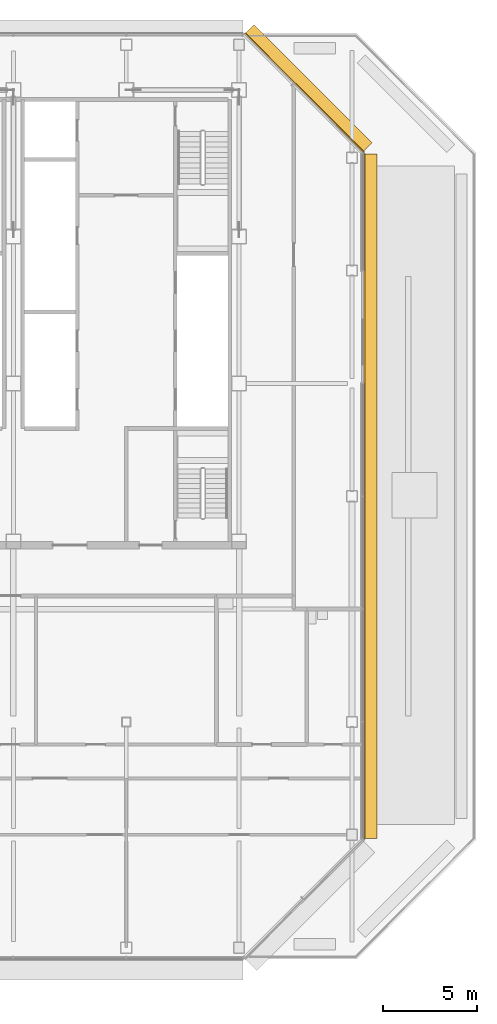
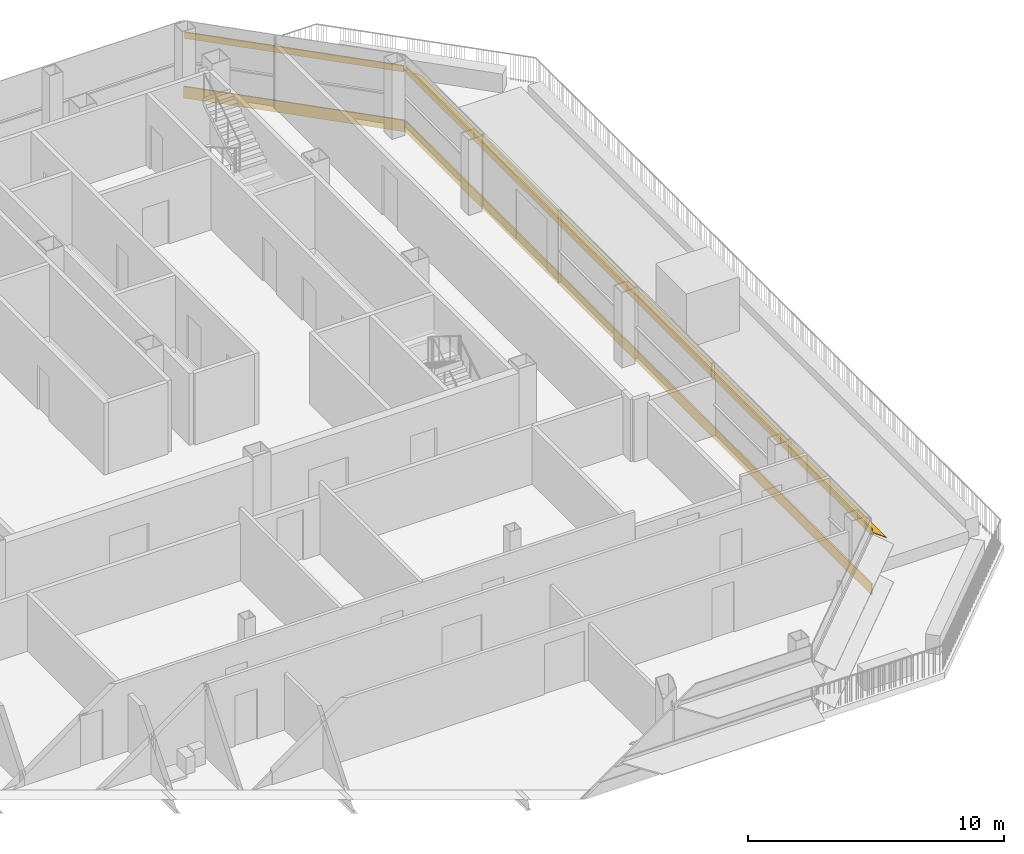
# One storey, part 26 of 28: 2 coverings, 2 shading devices.
"""IFC4 building model written with IfcOpenShell, lengths in metres."""

from ifc_helpers import new_model, si_unit, direction, frame, origin, place, context, subcontext, project, spatial, polyline, outline, extrude, material, layer, layer_set, type_object, element, save


model = new_model("IFC4")

# Units and contexts
model_context = context("Model", 3, precision=1e-05, world=origin(), true_north=direction((0.0, 1.0)))
body_context = subcontext(model_context, "Body", "Model", "MODEL_VIEW")
ifc_project = project(units=[si_unit("LENGTHUNIT", "METRE"), si_unit("AREAUNIT", "SQUARE_METRE"), si_unit("VOLUMEUNIT", "CUBIC_METRE"), si_unit("PLANEANGLEUNIT", "RADIAN"), si_unit("MASSUNIT", "GRAM", prefix="KILO")], contexts=[model_context])

# Site, building, storey
site_placement = place(None, origin())
site = spatial("IfcSite", under=ifc_project, at=site_placement, CompositionType="ELEMENT")
building_placement = place(site_placement, origin())
building = spatial("IfcBuilding", under=site, at=building_placement, Name="Sorahane Residences", CompositionType="ELEMENT")
storey_placement = place(building_placement, frame((0.0, 0.0, 290.800048828125)))
storey = spatial("IfcBuildingStorey", under=building, at=storey_placement, Name="L68", CompositionType="ELEMENT", Elevation=290.800048828125)

# Shading devices
ifc_material_1 = material(Name="Terracotta anodised aluminium", Category="masonry")
shading_device_type_1 = type_object("IfcShadingDeviceType", Name="Louvre sunshade blade E terracotta aluminium 700", PredefinedType="JALOUSIE", material=ifc_material_1)
shading_device_1_placement = place(storey_placement, frame((48.60009765625, 5.801513671875, 2.699951171875), z_axis=(0.0, 1.0, 0.0), x_axis=(-1.0, 0.0, 0.0)))
element("IfcShadingDevice", 1, at=shading_device_1_placement, inside=storey, type_object=shading_device_type_1, Name="Louvre sunshade blade bank E L68 E1", PredefinedType="JALOUSIE", context=body_context, shape_type="SweptSolid", body=[
    extrude(outline(polyline([(-0.719970703125, -0.49365234375), (-0.719970703125, -0.523681640625), (-0.080078125, -0.05859375), (-0.080078125, -0.14990234375), (-0.02001953125, -0.14990234375), (-0.02001953125, -0.014892578125), (-0.02001953125, 0.014892578125), (-0.02001953125, 0.14990234375), (-0.080078125, 0.14990234375), (-0.080078125, -0.028564453125), (-0.719970703125, -0.49365234375)])), origin(), (0.0, 0.0, 1.0), 36.39697265625),
])
ifc_material_2 = material(Name="Terracotta anodised aluminium", Category="masonry")
shading_device_type_2 = type_object("IfcShadingDeviceType", Name="Louvre sunshade blade NE terracotta aluminium 700", PredefinedType="JALOUSIE", material=ifc_material_2)
shading_device_2_placement = place(storey_placement, frame((48.564697265625, 42.283935546875, 2.699951171875), z_axis=(-0.707106781187, 0.707106781187, 0.0), x_axis=(-0.707106781187, -0.707106781187, 0.0)))
element("IfcShadingDevice", 2, at=shading_device_2_placement, inside=storey, type_object=shading_device_type_2, Name="Louvre sunshade blade bank NE L68 NE1", PredefinedType="JALOUSIE", context=body_context, shape_type="SweptSolid", body=[
    extrude(outline(polyline([(-0.719970703125, -0.572509765625), (-0.719970703125, -0.602294921875), (-0.080078125, -0.065185546875), (-0.080078125, -0.14990234375), (-0.02001953125, -0.14990234375), (-0.02001953125, -0.014892578125), (-0.02001953125, 0.014892578125), (-0.02001953125, 0.14990234375), (-0.080078125, 0.14990234375), (-0.080078125, -0.035400390625), (-0.719970703125, -0.572509765625)])), origin(), (0.0, 0.0, 1.0), 8.88232421875),
])

# Coverings
ifc_material_3 = material(Name="White painted aluminium cladding", Category="aluminium")
ifc_layer = layer(ifc_material_3, 0.06005859375)
ifc_layer_set = layer_set([ifc_layer], Name="Slab edge fascia band white painted aluminium 550")
covering_type = type_object("IfcCoveringType", Name="Slab edge fascia band white painted aluminium 550", PredefinedType="CLADDING", material=ifc_layer_set)
covering_1_placement = place(storey_placement, frame((48.60009765625, 5.771484375, -0.025146484375), z_axis=(0.0, 1.0, 0.0), x_axis=(-1.0, 0.0, 0.0)))
element("IfcCovering", 3, at=covering_1_placement, inside=storey, type_object=covering_type, Name="Slab edge fascia white L68 E1", PredefinedType="CLADDING", context=body_context, shape_type="SweptSolid", body=[
    extrude(outline(polyline([(-0.02001953125, 0.27490234375), (-0.080078125, 0.27490234375), (-0.080078125, -0.27490234375), (-0.02001953125, -0.27490234375), (-0.02001953125, 0.27490234375)])), origin(), (0.0, 0.0, 1.0), 36.45703125),
])
covering_2_placement = place(storey_placement, frame((48.5859375, 42.2626953125, -0.025146484375), z_axis=(-0.707106781187, 0.707106781187, 0.0), x_axis=(-0.707106781187, -0.707106781187, 0.0)))
element("IfcCovering", 4, at=covering_2_placement, inside=storey, type_object=covering_type, Name="Slab edge fascia white L68 NE1", PredefinedType="CLADDING", context=body_context, shape_type="SweptSolid", body=[
    extrude(outline(polyline([(-0.02001953125, 0.27490234375), (-0.080078125, 0.27490234375), (-0.080078125, -0.27490234375), (-0.02001953125, -0.27490234375), (-0.02001953125, 0.27490234375)])), origin(), (0.0, 0.0, 1.0), 8.9423828125),
])

save(model, "model.ifc")
